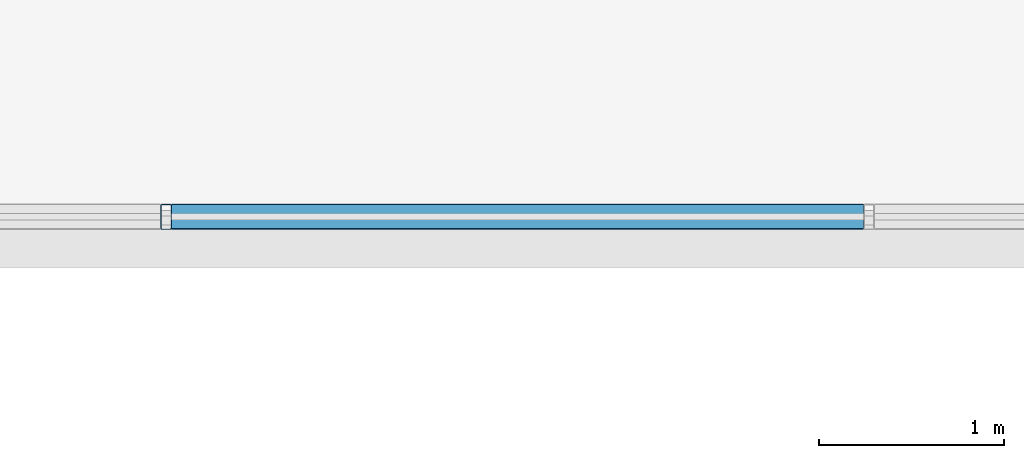
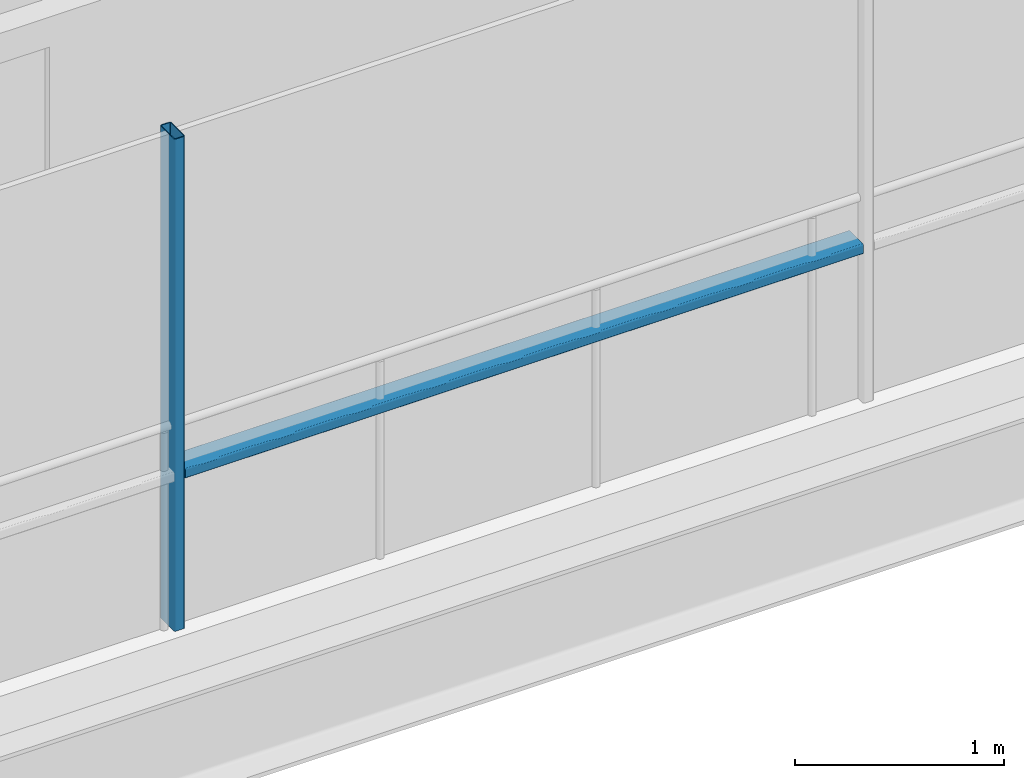
# One storey, part 11 of 40: 2 members, 1 element without a shape of its own.
"""IFC4 building model written with IfcOpenShell, lengths in metres."""

from ifc_helpers import new_model, si_unit, direction, frame, origin, origin_2d, place, context, subcontext, project, spatial, hollow_rectangle, extrude, material, layer, layer_set, material_profile, profile_set, type_object, element, aggregate, save


model = new_model("IFC4")

# Units and contexts
model_context = context("Model", 3, precision=1e-05, world=origin(), true_north=direction((0.0, 1.0)))
body_context = subcontext(model_context, "Body", "Model", "MODEL_VIEW")
ifc_project = project(units=[si_unit("LENGTHUNIT", "METRE"), si_unit("AREAUNIT", "SQUARE_METRE"), si_unit("VOLUMEUNIT", "CUBIC_METRE"), si_unit("PLANEANGLEUNIT", "RADIAN"), si_unit("MASSUNIT", "GRAM", prefix="KILO")], contexts=[model_context])

# Site, building, storey
site_placement = place(None, origin())
site = spatial("IfcSite", under=ifc_project, at=site_placement, CompositionType="ELEMENT")
building_placement = place(site_placement, origin())
building = spatial("IfcBuilding", under=site, at=building_placement, Name="Brevholm Reach", CompositionType="ELEMENT")
storey_placement = place(building_placement, frame((0.0, 0.0, 62.10009765625)))
storey = spatial("IfcBuildingStorey", under=building, at=storey_placement, Name="L17", CompositionType="ELEMENT", Elevation=62.10009765625)

# Curtain wall, members
ifc_material_1 = material(Name="Dark Anodised Aluminium 6063-T6 and Solar-Control Glass", Category="aluminium")
ifc_layer = layer(ifc_material_1, 0.139892578125)
ifc_layer_set = layer_set([ifc_layer], Name="Dark Anodised Aluminium 6063-T6 and Solar-Control Glass")
curtain_wall_type = type_object("IfcCurtainWallType", Name="CW-02", PredefinedType="NOTDEFINED", material=ifc_layer_set)
curtain_wall_placement = place(storey_placement, origin())
curtain_wall = element("IfcCurtainWall", 1, at=curtain_wall_placement, inside=storey, type_object=curtain_wall_type, Name="L17 Curtain Wall CW-02", PredefinedType="NOTDEFINED")
ifc_material_2 = material(Name="Dark Anodised Aluminium 6063-T6", Category="aluminium")
ifc_material_profile_1 = material_profile(ifc_material_2, hollow_rectangle(XDim=0.06005859375, YDim=0.139892578125, WallThickness=0.0048828125, InnerFilletRadius=0.0048828125, OuterFilletRadius=0.010009765625, at=origin_2d()), Name="RHS 140x60x5")
ifc_profile_set_1 = profile_set([ifc_material_profile_1], Name="Dark Anodised Aluminium 6063-T6")
member_type_1 = type_object("IfcMemberType", Name="CWM-140", PredefinedType="MULLION", material=ifc_profile_set_1)
member_1_placement = place(storey_placement, frame((30.050048828125, 26.6201171875, 0.0), z_axis=(0.0, 0.0, 1.0), x_axis=(-1.0, 0.0, 0.0)))
member_1 = element("IfcMember", 2, at=member_1_placement, type_object=member_type_1, Name="CM-140 Mullion 3", PredefinedType="MULLION", context=body_context, shape_type="SweptSolid", body=[
    extrude(hollow_rectangle(XDim=0.06005859375, YDim=0.139892578125, WallThickness=0.0048828125, InnerFilletRadius=0.0048828125, OuterFilletRadius=0.010009765625, at=origin_2d()), origin(), (0.0, 0.0, 1.0), 2.869873046875),
])
ifc_material_3 = material(Name="Dark Anodised Aluminium 6063-T6", Category="aluminium")
ifc_material_profile_2 = material_profile(ifc_material_3, hollow_rectangle(XDim=0.06005859375, YDim=0.139892578125, WallThickness=0.0048828125, InnerFilletRadius=0.0048828125, OuterFilletRadius=0.010009765625, at=origin_2d()), Name="RHS 140x60x5")
ifc_profile_set_2 = profile_set([ifc_material_profile_2], Name="Dark Anodised Aluminium 6063-T6")
member_type_2 = type_object("IfcMemberType", Name="CWT-140", PredefinedType="NOTDEFINED", material=ifc_profile_set_2)
member_2_placement = place(storey_placement, frame((33.820068359375, 26.6201171875, 0.89990234375), z_axis=(-1.0, 0.0, 0.0), x_axis=(0.0, 0.0, 1.0)))
member_2 = element("IfcMember", 3, at=member_2_placement, type_object=member_type_2, Name="CT-140 Transom 2.1", ObjectType="TRANSOM", PredefinedType="USERDEFINED", context=body_context, shape_type="SweptSolid", body=[
    extrude(hollow_rectangle(XDim=0.06005859375, YDim=0.139892578125, WallThickness=0.0048828125, InnerFilletRadius=0.0048828125, OuterFilletRadius=0.010009765625, at=origin_2d()), origin(), (0.0, 0.0, 1.0), 3.739990234375),
])
aggregate(curtain_wall, [member_1, member_2])

save(model, "model.ifc")
